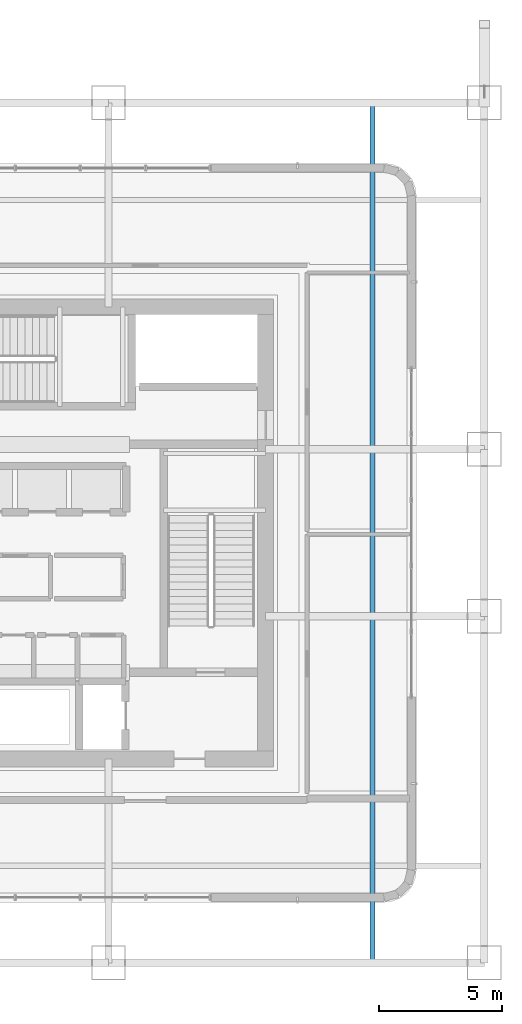
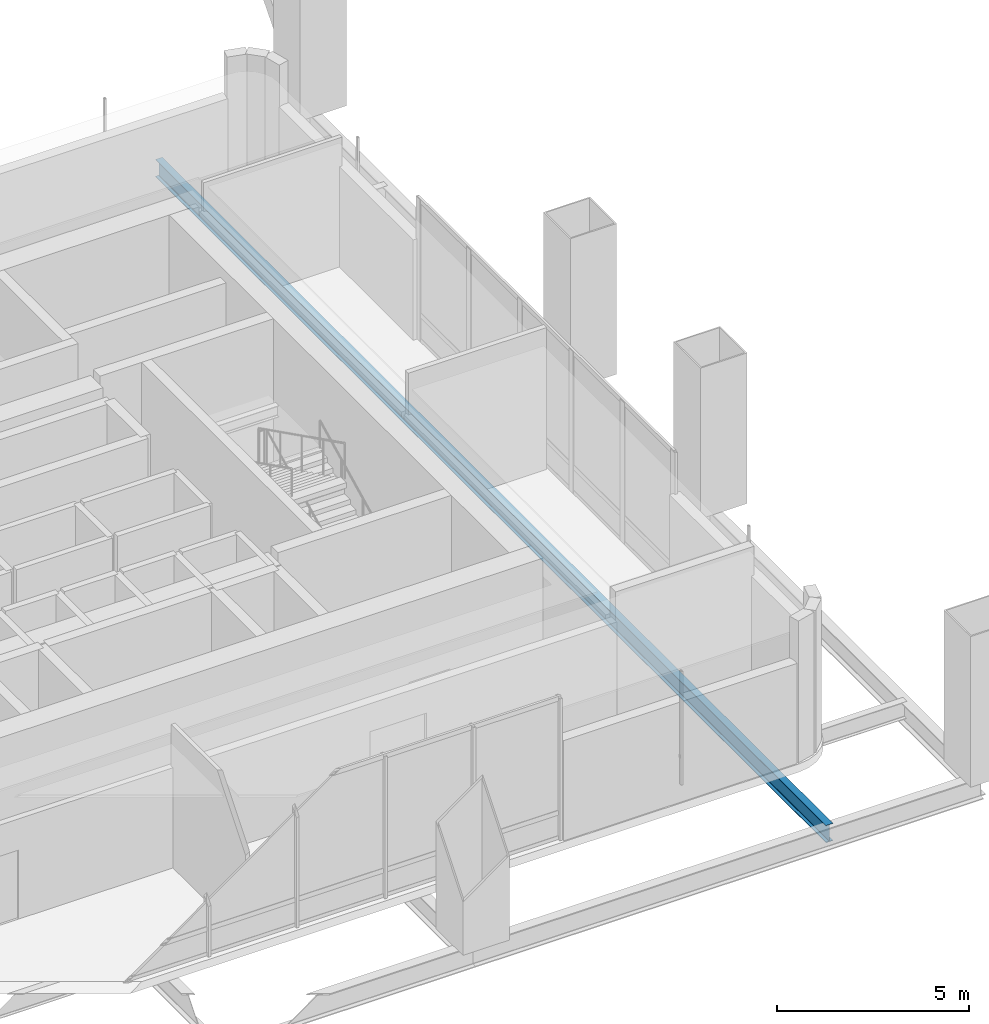
# One storey, part 11 of 30: 1 beam.
"""IFC4 building model written with IfcOpenShell, lengths in metres."""

from ifc_helpers import new_model, si_unit, direction, frame, origin, origin_2d, place, context, subcontext, project, spatial, i_section, extrude, material, material_profile, profile_set, type_object, element, save


model = new_model("IFC4")

# Units and contexts
model_context = context("Model", 3, precision=1e-05, world=origin(), true_north=direction((0.0, 1.0)))
body_context = subcontext(model_context, "Body", "Model", "MODEL_VIEW")
ifc_project = project(units=[si_unit("LENGTHUNIT", "METRE"), si_unit("AREAUNIT", "SQUARE_METRE"), si_unit("VOLUMEUNIT", "CUBIC_METRE"), si_unit("PLANEANGLEUNIT", "RADIAN"), si_unit("MASSUNIT", "GRAM", prefix="KILO")], contexts=[model_context])

# Site, building, storey
site_placement = place(None, origin())
site = spatial("IfcSite", under=ifc_project, at=site_placement, CompositionType="ELEMENT")
building_placement = place(site_placement, origin())
building = spatial("IfcBuilding", under=site, at=building_placement, Name="Punatoya Terracotta Tower", CompositionType="ELEMENT")
storey_placement = place(building_placement, frame((0.0, 0.0, 135.0)))
storey = spatial("IfcBuildingStorey", under=building, at=storey_placement, Name="L31", CompositionType="ELEMENT", Elevation=135.0)

# Beam
ifc_material = material(Name="Steel S355", Category="steel")
ifc_material_profile = material_profile(ifc_material, i_section(OverallWidth=0.2099609375, OverallDepth=0.550048828125, WebThickness=0.010986328125, FlangeThickness=0.01708984375, FilletRadius=0.01806640625, at=origin_2d()))
ifc_profile_set = profile_set([ifc_material_profile], Name="Steel S355")
beam_type = type_object("IfcBeamType", Name="BM-SPN-550", PredefinedType="SPANDREL", material=ifc_profile_set)
beam_placement = place(storey_placement, frame((14.550048828125, -17.5, -0.534912109375), z_axis=(0.0, 1.0, 0.0), x_axis=(-1.0, 0.0, 0.0)))
element("IfcBeam", 1, at=beam_placement, inside=storey, type_object=beam_type, Name="BM-L31-NCK-E", PredefinedType="SPANDREL", context=body_context, shape_type="SweptSolid", body=[
    extrude(i_section(OverallWidth=0.2099609375, OverallDepth=0.550048828125, WebThickness=0.010986328125, FlangeThickness=0.01708984375, FilletRadius=0.01806640625, at=origin_2d()), origin(), (0.0, 0.0, 1.0), 35.0),
])

save(model, "model.ifc")
